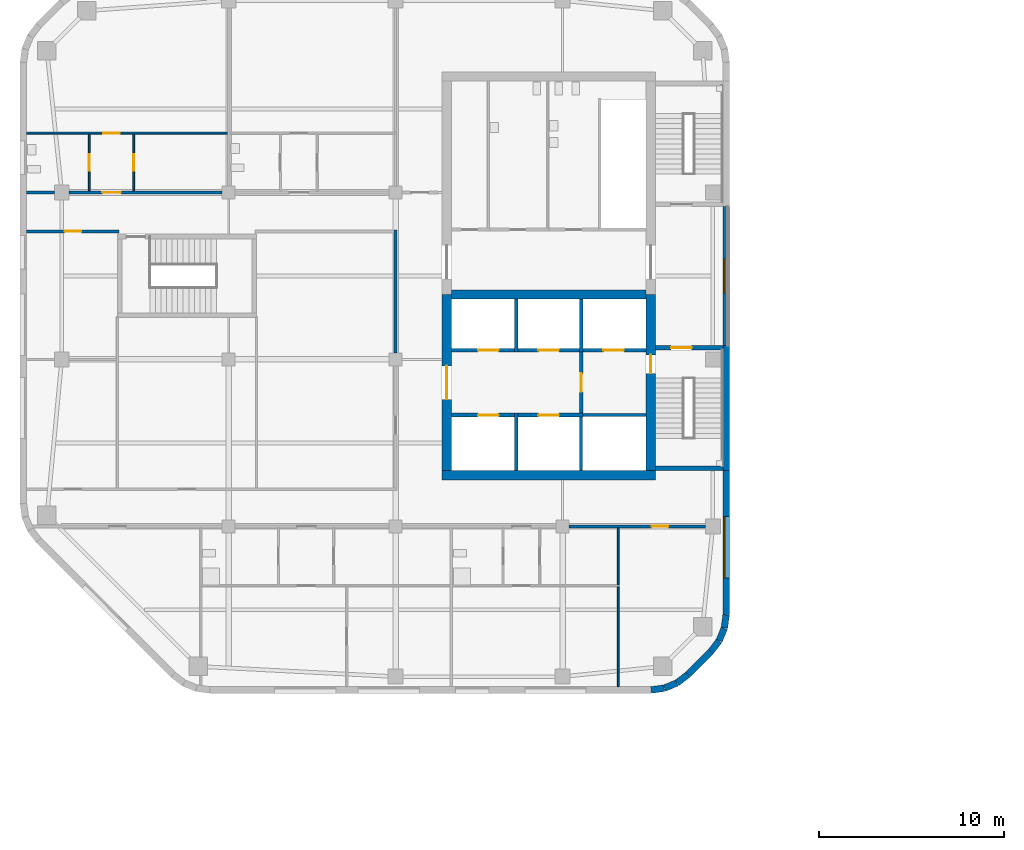
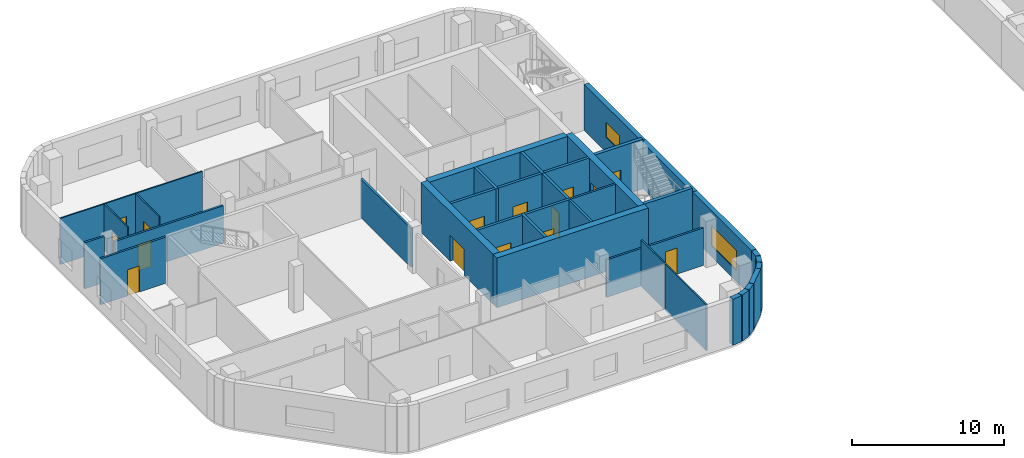
# One storey, part 6 of 15: 37 walls, 15 doors, 2 windows, 17 openings.
"""IFC4 building model written with IfcOpenShell, lengths in metres."""

from ifc_helpers import new_model, si_unit, direction, frame, frame_2d, origin, place, context, subcontext, project, spatial, rectangle, extrude, material, layer, layer_set, type_object, element, fill, save


model = new_model("IFC4")

# Units and contexts
model_context = context("Model", 3, precision=1e-05, world=origin(), true_north=direction((0.0, 1.0)))
body_context = subcontext(model_context, "Body", "Model", "MODEL_VIEW")
ifc_project = project(units=[si_unit("LENGTHUNIT", "METRE"), si_unit("AREAUNIT", "SQUARE_METRE"), si_unit("VOLUMEUNIT", "CUBIC_METRE"), si_unit("PLANEANGLEUNIT", "RADIAN"), si_unit("MASSUNIT", "GRAM", prefix="KILO")], contexts=[model_context])

# Site, building, storey
site_placement = place(None, origin())
site = spatial("IfcSite", under=ifc_project, at=site_placement, CompositionType="ELEMENT")
building_placement = place(site_placement, origin())
building = spatial("IfcBuilding", under=site, at=building_placement, Name="Cinnabar Reach Civic Tower", CompositionType="ELEMENT")
storey_placement = place(building_placement, frame((0.0, 0.0, 91.0)))
storey = spatial("IfcBuildingStorey", under=building, at=storey_placement, Name="L21", CompositionType="ELEMENT", Elevation=91.0)

# Walls
ifc_material_1 = material(Name="Facing brick with insulated backing", Category="masonry")
ifc_layer_1 = layer(ifc_material_1, 0.36)
ifc_layer_set_1 = layer_set([ifc_layer_1], Name="Brick corner wall")
wall_type_1 = type_object("IfcWallType", Name="Brick corner wall", PredefinedType="STANDARD", material=ifc_layer_set_1)
for number, where, z_axis, x_axis, name in (
    (1, (-31.2314, 9.183, 0.0), (0.0, 0.0, 1.0), (0.99144092581, 0.13055608231, 0.0), "Brick corner wall"),
    (2, (-30.5027, 9.2819, 0.0), (0.0, 0.0, 1.0), (0.923871547278, 0.382702709855, 0.0), "Brick corner wall"),
):
    element("IfcWall", number, at=place(storey_placement, frame(where, z_axis=z_axis, x_axis=x_axis)), inside=storey, type_object=wall_type_1, Name=name, PredefinedType="STANDARD", context=body_context, shape_type="SweptSolid", body=[
        extrude(rectangle(XDim=0.7131, YDim=0.36, at=frame_2d((0.3565, 0.0))), origin(), (0.0, 0.0, 1.0), 3.7),
    ])
for number, where, z_axis, x_axis, name in (
    (3, (-29.8245, 9.566, 0.0), (0.0, 0.0, 1.0), (0.793321924995, 0.608802368033, 0.0), "Brick corner wall"),
    (4, (-28.0002, 11.2587, 0.0), (0.0, 0.0, 1.0), (0.608802368033, 0.793321924995, 0.0), "Brick corner wall"),
):
    element("IfcWall", number, at=place(storey_placement, frame(where, z_axis=z_axis, x_axis=x_axis)), inside=storey, type_object=wall_type_1, Name=name, PredefinedType="STANDARD", context=body_context, shape_type="SweptSolid", body=[
        extrude(rectangle(XDim=0.7132, YDim=0.36, at=frame_2d((0.3566, 0.0))), origin(), (0.0, 0.0, 1.0), 3.7),
    ])
for number, where, z_axis, x_axis, name in (
    (5, (-27.5548, 11.8439, 0.0), (0.0, 0.0, 1.0), (0.382702709855, 0.923871547278, 0.0), "Brick corner wall"),
    (6, (-27.2761, 12.5244, 0.0), (0.0, 0.0, 1.0), (0.13055608231, 0.99144092581, 0.0), "Brick corner wall"),
):
    element("IfcWall", number, at=place(storey_placement, frame(where, z_axis=z_axis, x_axis=x_axis)), inside=storey, type_object=wall_type_1, Name=name, PredefinedType="STANDARD", context=body_context, shape_type="SweptSolid", body=[
        extrude(rectangle(XDim=0.7131, YDim=0.36, at=frame_2d((0.3565, 0.0))), origin(), (0.0, 0.0, 1.0), 3.7),
    ])
ifc_layer_2 = layer(ifc_material_1, 0.36)
ifc_layer_set_2 = layer_set([ifc_layer_2], Name="Brick pier and spandrel wall")
wall_type_2 = type_object("IfcWallType", Name="Brick pier and spandrel wall", PredefinedType="STANDARD", material=ifc_layer_set_2)
wall_1_placement = place(storey_placement, frame((-29.2486, 10.006, 0.0), z_axis=(0.0, 0.0, 1.0), x_axis=(0.707106781187, 0.707106781187, 0.0)))
element("IfcWall", 7, at=wall_1_placement, inside=storey, type_object=wall_type_2, Name="Brick facade wall", PredefinedType="STANDARD", context=body_context, shape_type="SweptSolid", body=[
    extrude(rectangle(XDim=1.7573, YDim=0.36, at=frame_2d((0.8787, 0.0))), origin(), (0.0, 0.0, 1.0), 3.7),
])

# Wall, opening, window
wall_2_placement = place(storey_placement, frame((-27.18, 13.2426, 0.0), z_axis=(0.0, 0.0, 1.0), x_axis=(0.0, 1.0, 0.0)))
wall_2 = element("IfcWall", 8, at=wall_2_placement, inside=storey, type_object=wall_type_2, Name="Brick facade wall", PredefinedType="STANDARD", context=body_context, shape_type="SweptSolid", body=[
    extrude(rectangle(XDim=7.7574, YDim=0.36, at=frame_2d((3.8787, 0.0))), origin(), (0.0, 0.0, 1.0), 3.7),
])
opening_1_placement = place(wall_2_placement, frame((1.9824, 0.0, 0.9)))
opening_1 = element("IfcOpeningElement", 9, at=opening_1_placement, cuts=wall_2, Name="Opening W2641", PredefinedType="OPENING", context=body_context, shape_type="SweptSolid", body=[
    extrude(rectangle(XDim=3.3, YDim=1.6, at=frame_2d((1.65, 0.8))), frame((0.0, 0.19, 0.0), z_axis=(0.0, -1.0, 0.0), x_axis=(1.0, 0.0, 0.0)), (0.0, 0.0, 1.0), 0.38),
])
ifc_material_2 = material(Name="Clear double glazing in aluminium frame", Category="aluminium")
window_type_1 = type_object("IfcWindowType", Name="Deep-set window A", PartitioningType="SINGLE_PANEL", PredefinedType="WINDOW", material=ifc_material_2)
window_1_placement = place(opening_1_placement, origin())
window_1 = element("IfcWindow", 10, at=window_1_placement, inside=storey, type_object=window_type_1, Name="Window east face", OverallHeight=1.6, OverallWidth=3.3, PartitioningType="SINGLE_PANEL", PredefinedType="WINDOW", context=body_context, shape_type="SweptSolid", body=[
    extrude(rectangle(XDim=3.3, YDim=1.6, at=frame_2d((1.65, 0.8))), frame((0.0, 0.13, 0.0), z_axis=(0.0, -1.0, 0.0), x_axis=(1.0, 0.0, 0.0)), (0.0, 0.0, 1.0), 0.06),
])
fill(opening_1, window_1)

# Wall
wall_3_placement = place(storey_placement, frame((-27.18, 21.0, 0.0), z_axis=(0.0, 0.0, 1.0), x_axis=(0.0, 1.0, 0.0)))
element("IfcWall", 11, at=wall_3_placement, inside=storey, type_object=wall_type_2, Name="Brick facade wall", PredefinedType="STANDARD", context=body_context, shape_type="SweptSolid", body=[
    extrude(rectangle(XDim=6.75, YDim=0.36, at=frame_2d((3.375, 0.0))), origin(), (0.0, 0.0, 1.0), 3.7),
])

# Wall, opening, window
wall_4_placement = place(storey_placement, frame((-27.18, 27.75, 0.0), z_axis=(0.0, 0.0, 1.0), x_axis=(0.0, 1.0, 0.0)))
wall_4 = element("IfcWall", 12, at=wall_4_placement, inside=storey, type_object=wall_type_2, Name="Brick facade wall", PredefinedType="STANDARD", context=body_context, shape_type="SweptSolid", body=[
    extrude(rectangle(XDim=7.5, YDim=0.36, at=frame_2d((3.75, 0.0))), origin(), (0.0, 0.0, 1.0), 3.7),
])
opening_2_placement = place(wall_4_placement, frame((2.85, 0.0, 1.2)))
opening_2 = element("IfcOpeningElement", 13, at=opening_2_placement, cuts=wall_4, Name="Opening W2642", PredefinedType="OPENING", context=body_context, shape_type="SweptSolid", body=[
    extrude(rectangle(XDim=1.8, YDim=1.2, at=frame_2d((0.9, 0.6))), frame((0.0, 0.19, 0.0), z_axis=(0.0, -1.0, 0.0), x_axis=(1.0, 0.0, 0.0)), (0.0, 0.0, 1.0), 0.38),
])
window_type_2 = type_object("IfcWindowType", Name="Deep-set window C", PartitioningType="SINGLE_PANEL", PredefinedType="WINDOW", material=ifc_material_2)
window_2_placement = place(opening_2_placement, origin())
window_2 = element("IfcWindow", 14, at=window_2_placement, inside=storey, type_object=window_type_2, Name="Window east face", OverallHeight=1.2, OverallWidth=1.8, PartitioningType="SINGLE_PANEL", PredefinedType="WINDOW", context=body_context, shape_type="SweptSolid", body=[
    extrude(rectangle(XDim=1.8, YDim=1.2, at=frame_2d((0.9, 0.6))), frame((0.0, 0.13, 0.0), z_axis=(0.0, -1.0, 0.0), x_axis=(1.0, 0.0, 0.0)), (0.0, 0.0, 1.0), 0.06),
])
fill(opening_2, window_2)

# Wall
ifc_material_3 = material(Name="Concrete C60", Category="concrete")
ifc_layer_3 = layer(ifc_material_3, 0.5)
ifc_layer_set_3 = layer_set([ifc_layer_3], Name="Core wall 500 EI 180")
wall_type_3 = type_object("IfcWallType", Name="Core wall 500 EI 180", PredefinedType="SOLIDWALL", material=ifc_layer_set_3)
wall_5_placement = place(storey_placement, frame((-42.5, 20.75, 0.0), z_axis=(0.0, 0.0, 1.0), x_axis=(1.0, 0.0, 0.0)))
element("IfcWall", 15, at=wall_5_placement, inside=storey, type_object=wall_type_3, Name="Core wall T2 L21 S", PredefinedType="SOLIDWALL", context=body_context, shape_type="SweptSolid", body=[
    extrude(rectangle(XDim=11.5, YDim=0.5, at=frame_2d((5.75, 0.0))), origin(), (0.0, 0.0, 1.0), 4.0),
])

# Wall, opening, door
wall_6_placement = place(storey_placement, frame((-31.25, 21.0, 0.0), z_axis=(0.0, 0.0, 1.0), x_axis=(0.0, 1.0, 0.0)))
wall_6 = element("IfcWall", 16, at=wall_6_placement, inside=storey, type_object=wall_type_3, Name="Core wall T2 L21 E", PredefinedType="SOLIDWALL", context=body_context, shape_type="SweptSolid", body=[
    extrude(rectangle(XDim=9.5, YDim=0.5, at=frame_2d((4.75, 0.0))), origin(), (0.0, 0.0, 1.0), 4.0),
])
opening_3_placement = place(wall_6_placement, frame((5.25, 0.0, 0.0)))
opening_3 = element("IfcOpeningElement", 17, at=opening_3_placement, cuts=wall_6, Name="Opening D6793", PredefinedType="OPENING", context=body_context, shape_type="SweptSolid", body=[
    extrude(rectangle(XDim=1.0, YDim=2.1, at=frame_2d((0.5, 1.05))), frame((0.0, 0.26, 0.0), z_axis=(0.0, -1.0, 0.0), x_axis=(1.0, 0.0, 0.0)), (0.0, 0.0, 1.0), 0.52),
])
ifc_material_4 = material(Name="Steel fire door", Category="steel")
door_type_1 = type_object("IfcDoorType", Name="T2 Firefighting lobby door 1000", OperationType="SINGLE_SWING_LEFT", PredefinedType="DOOR", material=ifc_material_4)
door_1_placement = place(opening_3_placement, frame((1.0, 0.0, 0.0), z_axis=(0.0, 0.0, 1.0), x_axis=(-1.0, 0.0, 0.0)))
door_1 = element("IfcDoor", 18, at=door_1_placement, inside=storey, type_object=door_type_1, Name="T2 Firefighting lobby door D6793", OperationType="SINGLE_SWING_LEFT", OverallHeight=2.1, OverallWidth=1.0, PredefinedType="DOOR", context=body_context, shape_type="SweptSolid", body=[
    extrude(rectangle(XDim=1.0, YDim=2.1, at=frame_2d((0.5, 1.05))), frame((0.0, 0.025, 0.0), z_axis=(0.0, -1.0, 0.0), x_axis=(1.0, 0.0, 0.0)), (0.0, 0.0, 1.0), 0.05),
])
fill(opening_3, door_1)

wall_7_placement = place(storey_placement, frame((-42.25, 30.5, 0.0), z_axis=(0.0, 0.0, 1.0), x_axis=(0.0, -1.0, 0.0)))
wall_7 = element("IfcWall", 19, at=wall_7_placement, inside=storey, type_object=wall_type_3, Name="Core wall T2 L21 W2", PredefinedType="SOLIDWALL", context=body_context, shape_type="SweptSolid", body=[
    extrude(rectangle(XDim=9.5, YDim=0.5, at=frame_2d((4.75, 0.0))), origin(), (0.0, 0.0, 1.0), 4.0),
])
opening_4_placement = place(wall_7_placement, frame((3.85, 0.0, 0.0)))
opening_4 = element("IfcOpeningElement", 20, at=opening_4_placement, cuts=wall_7, Name="Opening D6797", PredefinedType="OPENING", context=body_context, shape_type="SweptSolid", body=[
    extrude(rectangle(XDim=1.8, YDim=2.1, at=frame_2d((0.9, 1.05))), frame((0.0, 0.26, 0.0), z_axis=(0.0, -1.0, 0.0), x_axis=(1.0, 0.0, 0.0)), (0.0, 0.0, 1.0), 0.52),
])
door_type_2 = type_object("IfcDoorType", Name="T2 Double door 1800", OperationType="DOUBLE_DOOR_SINGLE_SWING", PredefinedType="DOOR", material=ifc_material_4)
door_2_placement = place(opening_4_placement, origin())
door_2 = element("IfcDoor", 21, at=door_2_placement, inside=storey, type_object=door_type_2, Name="T2 Double door D6797", OperationType="DOUBLE_DOOR_SINGLE_SWING", OverallHeight=2.1, OverallWidth=1.8, PredefinedType="DOOR", context=body_context, shape_type="SweptSolid", body=[
    extrude(rectangle(XDim=1.8, YDim=2.1, at=frame_2d((0.9, 1.05))), frame((0.0, 0.025, 0.0), z_axis=(0.0, -1.0, 0.0), x_axis=(1.0, 0.0, 0.0)), (0.0, 0.0, 1.0), 0.05),
])
fill(opening_4, door_2)

# Wall
wall_8_placement = place(storey_placement, frame((-42.0, 30.5, 0.0), z_axis=(0.0, 0.0, 1.0), x_axis=(1.0, 0.0, 0.0)))
element("IfcWall", 22, at=wall_8_placement, inside=storey, type_object=wall_type_3, Name="Core spine wall T2 L21", PredefinedType="SOLIDWALL", context=body_context, shape_type="SweptSolid", body=[
    extrude(rectangle(XDim=10.5, YDim=0.5, at=frame_2d((5.25, 0.0))), origin(), (0.0, 0.0, 1.0), 4.0),
])

# Wall, opening, door
ifc_material_5 = material(Name="Gypsum board on steel studs, double layer", Category="steel")
ifc_layer_4 = layer(ifc_material_5, 0.15)
ifc_layer_set_4 = layer_set([ifc_layer_4], Name="Corridor wall 150 T2")
wall_type_4 = type_object("IfcWallType", Name="Corridor wall 150 T2", PredefinedType="PARTITIONING", material=ifc_layer_set_4)
wall_9_placement = place(storey_placement, frame((-35.65, 18.0, 0.0), z_axis=(0.0, 0.0, 1.0), x_axis=(1.0, 0.0, 0.0)))
wall_9 = element("IfcWall", 23, at=wall_9_placement, inside=storey, type_object=wall_type_4, Name="Corridor wall 1", PredefinedType="PARTITIONING", context=body_context, shape_type="SweptSolid", body=[
    extrude(rectangle(XDim=7.35, YDim=0.15, at=frame_2d((3.675, 0.0))), origin(), (0.0, 0.0, 1.0), 3.008),
])
opening_5_placement = place(wall_9_placement, frame((4.45, 0.0, 0.0)))
opening_5 = element("IfcOpeningElement", 24, at=opening_5_placement, cuts=wall_9, Name="Opening D6813", PredefinedType="OPENING", context=body_context, shape_type="SweptSolid", body=[
    extrude(rectangle(XDim=0.9, YDim=2.1, at=frame_2d((0.45, 1.05))), frame((0.0, 0.085, 0.0), z_axis=(0.0, -1.0, 0.0), x_axis=(1.0, 0.0, 0.0)), (0.0, 0.0, 1.0), 0.17),
])
ifc_material_6 = material(Name="Timber door leaf in steel frame", Category="steel")
door_type_3 = type_object("IfcDoorType", Name="Single swing door 900 x 2100 T2", OperationType="SINGLE_SWING_LEFT", PredefinedType="DOOR", material=ifc_material_6)
door_3_placement = place(opening_5_placement, frame((0.9, 0.0, 0.0), z_axis=(0.0, 0.0, 1.0), x_axis=(-1.0, 0.0, 0.0)))
door_3 = element("IfcDoor", 25, at=door_3_placement, inside=storey, type_object=door_type_3, Name="Door D6813", OperationType="SINGLE_SWING_LEFT", OverallHeight=2.1, OverallWidth=0.9, PredefinedType="DOOR", context=body_context, shape_type="SweptSolid", body=[
    extrude(rectangle(XDim=0.9, YDim=2.1, at=frame_2d((0.45, 1.05))), frame((0.0, 0.025, 0.0), z_axis=(0.0, -1.0, 0.0), x_axis=(1.0, 0.0, 0.0)), (0.0, 0.0, 1.0), 0.05),
])
fill(opening_5, door_3)

wall_10_placement = place(storey_placement, frame((-62.6, 36.0, 0.0), z_axis=(0.0, 0.0, 1.0), x_axis=(1.0, 0.0, 0.0)))
wall_10 = element("IfcWall", 26, at=wall_10_placement, inside=storey, type_object=wall_type_4, Name="Corridor wall 7", PredefinedType="PARTITIONING", context=body_context, shape_type="SweptSolid", body=[
    extrude(rectangle(XDim=8.25, YDim=0.15, at=frame_2d((4.125, 0.0))), origin(), (0.0, 0.0, 1.0), 3.008),
])
opening_6_placement = place(wall_10_placement, frame((1.7859, 0.0, 0.0)))
opening_6 = element("IfcOpeningElement", 27, at=opening_6_placement, cuts=wall_10, Name="Opening D6817", PredefinedType="OPENING", context=body_context, shape_type="SweptSolid", body=[
    extrude(rectangle(XDim=1.0, YDim=2.1, at=frame_2d((0.5, 1.05))), frame((0.0, 0.085, 0.0), z_axis=(0.0, -1.0, 0.0), x_axis=(1.0, 0.0, 0.0)), (0.0, 0.0, 1.0), 0.17),
])
door_type_4 = type_object("IfcDoorType", Name="Tenancy entrance door 1000 x 2100 T2", OperationType="SINGLE_SWING_LEFT", PredefinedType="DOOR", material=ifc_material_6)
door_4_placement = place(opening_6_placement, origin())
door_4 = element("IfcDoor", 28, at=door_4_placement, inside=storey, type_object=door_type_4, Name="Door D6817", OperationType="SINGLE_SWING_LEFT", OverallHeight=2.1, OverallWidth=1.0, PredefinedType="DOOR", context=body_context, shape_type="SweptSolid", body=[
    extrude(rectangle(XDim=1.0, YDim=2.1, at=frame_2d((0.5, 1.05))), frame((0.0, 0.025, 0.0), z_axis=(0.0, -1.0, 0.0), x_axis=(1.0, 0.0, 0.0)), (0.0, 0.0, 1.0), 0.05),
])
fill(opening_6, door_4)

# Walls
wall_11_placement = place(storey_placement, frame((-64.89, 36.0, 0.0), z_axis=(0.0, 0.0, 1.0), x_axis=(1.0, 0.0, 0.0)))
element("IfcWall", 29, at=wall_11_placement, inside=storey, type_object=wall_type_4, Name="Corridor wall 8", PredefinedType="PARTITIONING", context=body_context, shape_type="SweptSolid", body=[
    extrude(rectangle(XDim=1.49, YDim=0.15, at=frame_2d((0.745, 0.0))), origin(), (0.0, 0.0, 1.0), 3.7),
])
wall_12_placement = place(storey_placement, frame((-45.0, 27.35, 0.0), z_axis=(0.0, 0.0, 1.0), x_axis=(0.0, 1.0, 0.0)))
element("IfcWall", 30, at=wall_12_placement, inside=storey, type_object=wall_type_4, Name="Corridor wall 11", PredefinedType="PARTITIONING", context=body_context, shape_type="SweptSolid", body=[
    extrude(rectangle(XDim=6.625, YDim=0.15, at=frame_2d((3.3125, 0.0))), origin(), (0.0, 0.0, 1.0), 3.106),
])

# Wall, opening, door
wall_13_placement = place(storey_placement, frame((-64.89, 33.9, 0.0), z_axis=(0.0, 0.0, 1.0), x_axis=(1.0, 0.0, 0.0)))
wall_13 = element("IfcWall", 31, at=wall_13_placement, inside=storey, type_object=wall_type_4, Name="Corridor wall 13", PredefinedType="PARTITIONING", context=body_context, shape_type="SweptSolid", body=[
    extrude(rectangle(XDim=4.965, YDim=0.15, at=frame_2d((2.4825, 0.0))), origin(), (0.0, 0.0, 1.0), 3.7),
])
opening_7_placement = place(wall_13_placement, frame((2.05, 0.0, 0.0)))
opening_7 = element("IfcOpeningElement", 32, at=opening_7_placement, cuts=wall_13, Name="Opening D6823", PredefinedType="OPENING", context=body_context, shape_type="SweptSolid", body=[
    extrude(rectangle(XDim=0.9, YDim=2.1, at=frame_2d((0.45, 1.05))), frame((0.0, 0.085, 0.0), z_axis=(0.0, -1.0, 0.0), x_axis=(1.0, 0.0, 0.0)), (0.0, 0.0, 1.0), 0.17),
])
door_5_placement = place(opening_7_placement, frame((0.9, 0.0, 0.0), z_axis=(0.0, 0.0, 1.0), x_axis=(-1.0, 0.0, 0.0)))
door_5 = element("IfcDoor", 33, at=door_5_placement, inside=storey, type_object=door_type_3, Name="Door D6823", OperationType="SINGLE_SWING_RIGHT", OverallHeight=2.1, OverallWidth=0.9, PredefinedType="DOOR", context=body_context, shape_type="SweptSolid", body=[
    extrude(rectangle(XDim=0.9, YDim=2.1, at=frame_2d((0.45, 1.05))), frame((0.0, 0.025, 0.0), z_axis=(0.0, -1.0, 0.0), x_axis=(1.0, 0.0, 0.0)), (0.0, 0.0, 1.0), 0.05),
])
fill(opening_7, door_5)

ifc_material_7 = material(Name="Gypsum board on steel studs", Category="steel")
ifc_layer_5 = layer(ifc_material_7, 0.1)
ifc_layer_set_5 = layer_set([ifc_layer_5], Name="Partition wall 100 T2")
wall_type_5 = type_object("IfcWallType", Name="Partition wall 100 T2", PredefinedType="PARTITIONING", material=ifc_layer_set_5)
wall_14_placement = place(storey_placement, frame((-64.89, 39.2, 0.0), z_axis=(0.0, 0.0, 1.0), x_axis=(1.0, 0.0, 0.0)))
wall_14 = element("IfcWall", 34, at=wall_14_placement, inside=storey, type_object=wall_type_5, Name="Partition wall 19", PredefinedType="PARTITIONING", context=body_context, shape_type="SweptSolid", body=[
    extrude(rectangle(XDim=10.815, YDim=0.1, at=frame_2d((5.4075, 0.0))), origin(), (0.0, 0.0, 1.0), 3.7),
])
opening_8_placement = place(wall_14_placement, frame((4.1259, 0.0, 0.0)))
opening_8 = element("IfcOpeningElement", 35, at=opening_8_placement, cuts=wall_14, Name="Opening D6816", PredefinedType="OPENING", context=body_context, shape_type="SweptSolid", body=[
    extrude(rectangle(XDim=0.9, YDim=2.1, at=frame_2d((0.45, 1.05))), frame((0.0, 0.06, 0.0), z_axis=(0.0, -1.0, 0.0), x_axis=(1.0, 0.0, 0.0)), (0.0, 0.0, 1.0), 0.12),
])
door_6_placement = place(opening_8_placement, frame((0.9, 0.0, 0.0), z_axis=(0.0, 0.0, 1.0), x_axis=(-1.0, 0.0, 0.0)))
door_6 = element("IfcDoor", 36, at=door_6_placement, inside=storey, type_object=door_type_3, Name="Door D6816", OperationType="SINGLE_SWING_RIGHT", OverallHeight=2.1, OverallWidth=0.9, PredefinedType="DOOR", context=body_context, shape_type="SweptSolid", body=[
    extrude(rectangle(XDim=0.9, YDim=2.1, at=frame_2d((0.45, 1.05))), frame((0.0, 0.025, 0.0), z_axis=(0.0, -1.0, 0.0), x_axis=(1.0, 0.0, 0.0)), (0.0, 0.0, 1.0), 0.05),
])
fill(opening_8, door_6)

# Walls
wall_15_placement = place(storey_placement, frame((-33.0, 14.85, 0.0), z_axis=(0.0, 0.0, 1.0), x_axis=(0.0, 1.0, 0.0)))
element("IfcWall", 37, at=wall_15_placement, inside=storey, type_object=wall_type_5, Name="Partition wall 24", PredefinedType="PARTITIONING", context=body_context, shape_type="SweptSolid", body=[
    extrude(rectangle(XDim=3.075, YDim=0.1, at=frame_2d((1.5375, 0.0))), origin(), (0.0, 0.0, 1.0), 3.7),
])
wall_16_placement = place(storey_placement, frame((-33.0, 9.36, 0.0), z_axis=(0.0, 0.0, 1.0), x_axis=(0.0, 1.0, 0.0)))
element("IfcWall", 38, at=wall_16_placement, inside=storey, type_object=wall_type_5, Name="Partition wall 25", PredefinedType="PARTITIONING", context=body_context, shape_type="SweptSolid", body=[
    extrude(rectangle(XDim=5.39, YDim=0.1, at=frame_2d((2.695, 0.0))), origin(), (0.0, 0.0, 1.0), 3.7),
])

# Wall, opening, door
wall_17_placement = place(storey_placement, frame((-61.5141, 36.075, 0.0), z_axis=(0.0, 0.0, 1.0), x_axis=(0.0, 1.0, 0.0)))
wall_17 = element("IfcWall", 39, at=wall_17_placement, inside=storey, type_object=wall_type_5, Name="Partition wall 32", PredefinedType="PARTITIONING", context=body_context, shape_type="SweptSolid", body=[
    extrude(rectangle(XDim=3.075, YDim=0.1, at=frame_2d((1.5375, 0.0))), origin(), (0.0, 0.0, 1.0), 3.7),
])
opening_9_placement = place(wall_17_placement, frame((1.1, 0.0, 0.0)))
opening_9 = element("IfcOpeningElement", 40, at=opening_9_placement, cuts=wall_17, Name="Opening D6814", PredefinedType="OPENING", context=body_context, shape_type="SweptSolid", body=[
    extrude(rectangle(XDim=0.9, YDim=2.1, at=frame_2d((0.45, 1.05))), frame((0.0, 0.06, 0.0), z_axis=(0.0, -1.0, 0.0), x_axis=(1.0, 0.0, 0.0)), (0.0, 0.0, 1.0), 0.12),
])
door_7_placement = place(opening_9_placement, origin())
door_7 = element("IfcDoor", 41, at=door_7_placement, inside=storey, type_object=door_type_3, Name="Door D6814", OperationType="SINGLE_SWING_LEFT", OverallHeight=2.1, OverallWidth=0.9, PredefinedType="DOOR", context=body_context, shape_type="SweptSolid", body=[
    extrude(rectangle(XDim=0.9, YDim=2.1, at=frame_2d((0.45, 1.05))), frame((0.0, 0.025, 0.0), z_axis=(0.0, -1.0, 0.0), x_axis=(1.0, 0.0, 0.0)), (0.0, 0.0, 1.0), 0.05),
])
fill(opening_9, door_7)

wall_18_placement = place(storey_placement, frame((-59.1183, 36.075, 0.0), z_axis=(0.0, 0.0, 1.0), x_axis=(0.0, 1.0, 0.0)))
wall_18 = element("IfcWall", 42, at=wall_18_placement, inside=storey, type_object=wall_type_5, Name="Partition wall 33", PredefinedType="PARTITIONING", context=body_context, shape_type="SweptSolid", body=[
    extrude(rectangle(XDim=3.075, YDim=0.1, at=frame_2d((1.5375, 0.0))), origin(), (0.0, 0.0, 1.0), 3.7),
])
opening_10_placement = place(wall_18_placement, frame((1.1, 0.0, 0.0)))
opening_10 = element("IfcOpeningElement", 43, at=opening_10_placement, cuts=wall_18, Name="Opening D6815", PredefinedType="OPENING", context=body_context, shape_type="SweptSolid", body=[
    extrude(rectangle(XDim=0.9, YDim=2.1, at=frame_2d((0.45, 1.05))), frame((0.0, 0.06, 0.0), z_axis=(0.0, -1.0, 0.0), x_axis=(1.0, 0.0, 0.0)), (0.0, 0.0, 1.0), 0.12),
])
door_8_placement = place(opening_10_placement, origin())
door_8 = element("IfcDoor", 44, at=door_8_placement, inside=storey, type_object=door_type_3, Name="Door D6815", OperationType="SINGLE_SWING_RIGHT", OverallHeight=2.1, OverallWidth=0.9, PredefinedType="DOOR", context=body_context, shape_type="SweptSolid", body=[
    extrude(rectangle(XDim=0.9, YDim=2.1, at=frame_2d((0.45, 1.05))), frame((0.0, 0.025, 0.0), z_axis=(0.0, -1.0, 0.0), x_axis=(1.0, 0.0, 0.0)), (0.0, 0.0, 1.0), 0.05),
])
fill(opening_10, door_8)

# Wall
ifc_layer_6 = layer(ifc_material_3, 0.25)
ifc_layer_set_6 = layer_set([ifc_layer_6], Name="Stair shaft wall 250 EI 120")
wall_type_6 = type_object("IfcWallType", Name="Stair shaft wall 250 EI 120", PredefinedType="SOLIDWALL", material=ifc_layer_set_6)
wall_19_placement = place(storey_placement, frame((-31.0, 21.125, 0.0), z_axis=(0.0, 0.0, 1.0), x_axis=(1.0, 0.0, 0.0)))
element("IfcWall", 45, at=wall_19_placement, inside=storey, type_object=wall_type_6, Name="Stair shaft wall T2-S1 L21", PredefinedType="SOLIDWALL", context=body_context, shape_type="SweptSolid", body=[
    extrude(rectangle(XDim=3.64, YDim=0.25, at=frame_2d((1.82, 0.0))), origin(), (0.0, 0.0, 1.0), 4.0),
])

# Wall, opening, door
wall_20_placement = place(storey_placement, frame((-27.36, 27.625, 0.0), z_axis=(0.0, 0.0, 1.0), x_axis=(-1.0, 0.0, 0.0)))
wall_20 = element("IfcWall", 46, at=wall_20_placement, inside=storey, type_object=wall_type_6, Name="Stair shaft wall T2-S1 L21", PredefinedType="SOLIDWALL", context=body_context, shape_type="SweptSolid", body=[
    extrude(rectangle(XDim=3.64, YDim=0.25, at=frame_2d((1.82, 0.0))), origin(), (0.0, 0.0, 1.0), 4.0),
])
opening_11_placement = place(wall_20_placement, frame((1.69, 0.0, 0.0)))
opening_11 = element("IfcOpeningElement", 47, at=opening_11_placement, cuts=wall_20, Name="Opening D6794", PredefinedType="OPENING", context=body_context, shape_type="SweptSolid", body=[
    extrude(rectangle(XDim=1.1, YDim=2.1, at=frame_2d((0.55, 1.05))), frame((0.0, 0.135, 0.0), z_axis=(0.0, -1.0, 0.0), x_axis=(1.0, 0.0, 0.0)), (0.0, 0.0, 1.0), 0.27),
])
door_type_5 = type_object("IfcDoorType", Name="T2 Stair door 1100", OperationType="SINGLE_SWING_LEFT", PredefinedType="DOOR", material=ifc_material_4)
door_9_placement = place(opening_11_placement, origin())
door_9 = element("IfcDoor", 48, at=door_9_placement, inside=storey, type_object=door_type_5, Name="T2 Stair door D6794", OperationType="SINGLE_SWING_RIGHT", OverallHeight=2.1, OverallWidth=1.1, PredefinedType="DOOR", context=body_context, shape_type="SweptSolid", body=[
    extrude(rectangle(XDim=1.1, YDim=2.1, at=frame_2d((0.55, 1.05))), frame((0.0, 0.025, 0.0), z_axis=(0.0, -1.0, 0.0), x_axis=(1.0, 0.0, 0.0)), (0.0, 0.0, 1.0), 0.05),
])
fill(opening_11, door_9)

# Walls
ifc_material_8 = material(Name="Concrete C40", Category="concrete")
ifc_layer_7 = layer(ifc_material_8, 0.15)
ifc_layer_set_7 = layer_set([ifc_layer_7], Name="T2 Riser wall 150")
wall_type_7 = type_object("IfcWallType", Name="T2 Riser wall 150", PredefinedType="SOLIDWALL", material=ifc_layer_set_7)
wall_21_placement = place(storey_placement, frame((-35.0, 21.0, 0.0), z_axis=(0.0, 0.0, 1.0), x_axis=(0.0, 1.0, 0.0)))
element("IfcWall", 49, at=wall_21_placement, inside=storey, type_object=wall_type_7, Name="T2 Riser wall L21 010", PredefinedType="SOLIDWALL", context=body_context, shape_type="SweptSolid", body=[
    extrude(rectangle(XDim=2.9, YDim=0.15, at=frame_2d((1.45, 0.0))), origin(), (0.0, 0.0, 1.0), 4.0),
])
wall_22_placement = place(storey_placement, frame((-31.5, 24.0, 0.0), z_axis=(0.0, 0.0, 1.0), x_axis=(-1.0, 0.0, 0.0)))
element("IfcWall", 50, at=wall_22_placement, inside=storey, type_object=wall_type_7, Name="T2 Riser wall L21 011", PredefinedType="SOLIDWALL", context=body_context, shape_type="SweptSolid", body=[
    extrude(rectangle(XDim=3.4, YDim=0.15, at=frame_2d((1.7, 0.0))), origin(), (0.0, 0.0, 1.0), 4.0),
])
ifc_layer_8 = layer(ifc_material_8, 0.2)
ifc_layer_set_8 = layer_set([ifc_layer_8], Name="T2 Shaft wall 200")
wall_type_8 = type_object("IfcWallType", Name="T2 Shaft wall 200", PredefinedType="SOLIDWALL", material=ifc_layer_set_8)
wall_23_placement = place(storey_placement, frame((-38.5, 21.0, 0.0), z_axis=(0.0, 0.0, 1.0), x_axis=(0.0, 1.0, 0.0)))
element("IfcWall", 51, at=wall_23_placement, inside=storey, type_object=wall_type_8, Name="T2 Shaft wall L21 001", PredefinedType="SOLIDWALL", context=body_context, shape_type="SweptSolid", body=[
    extrude(rectangle(XDim=3.1, YDim=0.2, at=frame_2d((1.55, 0.0))), origin(), (0.0, 0.0, 1.0), 4.0),
])

# Wall, opening, door
wall_24_placement = place(storey_placement, frame((-38.6, 24.0, 0.0), z_axis=(0.0, 0.0, 1.0), x_axis=(-1.0, 0.0, 0.0)))
wall_24 = element("IfcWall", 52, at=wall_24_placement, inside=storey, type_object=wall_type_8, Name="T2 Shaft wall L21 002", PredefinedType="SOLIDWALL", context=body_context, shape_type="SweptSolid", body=[
    extrude(rectangle(XDim=3.4, YDim=0.2, at=frame_2d((1.7, 0.0))), origin(), (0.0, 0.0, 1.0), 4.0),
])
opening_12_placement = place(wall_24_placement, frame((0.85, 0.0, 0.0)))
opening_12 = element("IfcOpeningElement", 53, at=opening_12_placement, cuts=wall_24, Name="Opening D6787", PredefinedType="OPENING", context=body_context, shape_type="SweptSolid", body=[
    extrude(rectangle(XDim=1.1, YDim=2.1, at=frame_2d((0.55, 1.05))), frame((0.0, 0.11, 0.0), z_axis=(0.0, -1.0, 0.0), x_axis=(1.0, 0.0, 0.0)), (0.0, 0.0, 1.0), 0.22),
])
door_type_6 = type_object("IfcDoorType", Name="T2 Lift landing door 1100", OperationType="SLIDING_TO_LEFT", PredefinedType="DOOR", material=ifc_material_4)
door_10_placement = place(opening_12_placement, origin())
door_10 = element("IfcDoor", 54, at=door_10_placement, inside=storey, type_object=door_type_6, Name="T2 Lift landing door D6787", OperationType="SLIDING_TO_LEFT", OverallHeight=2.1, OverallWidth=1.1, PredefinedType="DOOR", context=body_context, shape_type="SweptSolid", body=[
    extrude(rectangle(XDim=1.1, YDim=2.1, at=frame_2d((0.55, 1.05))), frame((0.0, 0.025, 0.0), z_axis=(0.0, -1.0, 0.0), x_axis=(1.0, 0.0, 0.0)), (0.0, 0.0, 1.0), 0.05),
])
fill(opening_12, door_10)

wall_25_placement = place(storey_placement, frame((-34.9, 24.0, 0.0), z_axis=(0.0, 0.0, 1.0), x_axis=(-1.0, 0.0, 0.0)))
wall_25 = element("IfcWall", 55, at=wall_25_placement, inside=storey, type_object=wall_type_8, Name="T2 Shaft wall L21 003", PredefinedType="SOLIDWALL", context=body_context, shape_type="SweptSolid", body=[
    extrude(rectangle(XDim=3.5, YDim=0.2, at=frame_2d((1.75, 0.0))), origin(), (0.0, 0.0, 1.0), 4.0),
])
opening_13_placement = place(wall_25_placement, frame((1.3, 0.0, 0.0)))
opening_13 = element("IfcOpeningElement", 56, at=opening_13_placement, cuts=wall_25, Name="Opening D6788", PredefinedType="OPENING", context=body_context, shape_type="SweptSolid", body=[
    extrude(rectangle(XDim=1.1, YDim=2.1, at=frame_2d((0.55, 1.05))), frame((0.0, 0.11, 0.0), z_axis=(0.0, -1.0, 0.0), x_axis=(1.0, 0.0, 0.0)), (0.0, 0.0, 1.0), 0.22),
])
door_11_placement = place(opening_13_placement, origin())
door_11 = element("IfcDoor", 57, at=door_11_placement, inside=storey, type_object=door_type_6, Name="T2 Lift landing door D6788", OperationType="SLIDING_TO_LEFT", OverallHeight=2.1, OverallWidth=1.1, PredefinedType="DOOR", context=body_context, shape_type="SweptSolid", body=[
    extrude(rectangle(XDim=1.1, YDim=2.1, at=frame_2d((0.55, 1.05))), frame((0.0, 0.025, 0.0), z_axis=(0.0, -1.0, 0.0), x_axis=(1.0, 0.0, 0.0)), (0.0, 0.0, 1.0), 0.05),
])
fill(opening_13, door_11)

# Wall
wall_26_placement = place(storey_placement, frame((-38.5, 27.4, 0.0), z_axis=(0.0, 0.0, 1.0), x_axis=(0.0, 1.0, 0.0)))
element("IfcWall", 58, at=wall_26_placement, inside=storey, type_object=wall_type_8, Name="T2 Shaft wall L21 004", PredefinedType="SOLIDWALL", context=body_context, shape_type="SweptSolid", body=[
    extrude(rectangle(XDim=2.85, YDim=0.2, at=frame_2d((1.425, 0.0))), origin(), (0.0, 0.0, 1.0), 4.0),
])

# Wall, opening, door
wall_27_placement = place(storey_placement, frame((-42.0, 27.5, 0.0), z_axis=(0.0, 0.0, 1.0), x_axis=(1.0, 0.0, 0.0)))
wall_27 = element("IfcWall", 59, at=wall_27_placement, inside=storey, type_object=wall_type_8, Name="T2 Shaft wall L21 005", PredefinedType="SOLIDWALL", context=body_context, shape_type="SweptSolid", body=[
    extrude(rectangle(XDim=3.4, YDim=0.2, at=frame_2d((1.7, 0.0))), origin(), (0.0, 0.0, 1.0), 4.0),
])
opening_14_placement = place(wall_27_placement, frame((1.45, 0.0, 0.0)))
opening_14 = element("IfcOpeningElement", 60, at=opening_14_placement, cuts=wall_27, Name="Opening D6789", PredefinedType="OPENING", context=body_context, shape_type="SweptSolid", body=[
    extrude(rectangle(XDim=1.1, YDim=2.1, at=frame_2d((0.55, 1.05))), frame((0.0, 0.11, 0.0), z_axis=(0.0, -1.0, 0.0), x_axis=(1.0, 0.0, 0.0)), (0.0, 0.0, 1.0), 0.22),
])
door_12_placement = place(opening_14_placement, origin())
door_12 = element("IfcDoor", 61, at=door_12_placement, inside=storey, type_object=door_type_6, Name="T2 Lift landing door D6789", OperationType="SLIDING_TO_LEFT", OverallHeight=2.1, OverallWidth=1.1, PredefinedType="DOOR", context=body_context, shape_type="SweptSolid", body=[
    extrude(rectangle(XDim=1.1, YDim=2.1, at=frame_2d((0.55, 1.05))), frame((0.0, 0.025, 0.0), z_axis=(0.0, -1.0, 0.0), x_axis=(1.0, 0.0, 0.0)), (0.0, 0.0, 1.0), 0.05),
])
fill(opening_14, door_12)

# Wall
wall_28_placement = place(storey_placement, frame((-35.0, 27.4, 0.0), z_axis=(0.0, 0.0, 1.0), x_axis=(0.0, 1.0, 0.0)))
element("IfcWall", 62, at=wall_28_placement, inside=storey, type_object=wall_type_8, Name="T2 Shaft wall L21 006", PredefinedType="SOLIDWALL", context=body_context, shape_type="SweptSolid", body=[
    extrude(rectangle(XDim=2.85, YDim=0.2, at=frame_2d((1.425, 0.0))), origin(), (0.0, 0.0, 1.0), 4.0),
])

# Wall, opening, door
wall_29_placement = place(storey_placement, frame((-38.4, 27.5, 0.0), z_axis=(0.0, 0.0, 1.0), x_axis=(1.0, 0.0, 0.0)))
wall_29 = element("IfcWall", 63, at=wall_29_placement, inside=storey, type_object=wall_type_8, Name="T2 Shaft wall L21 007", PredefinedType="SOLIDWALL", context=body_context, shape_type="SweptSolid", body=[
    extrude(rectangle(XDim=3.3, YDim=0.2, at=frame_2d((1.65, 0.0))), origin(), (0.0, 0.0, 1.0), 4.0),
])
opening_15_placement = place(wall_29_placement, frame((1.1, 0.0, 0.0)))
opening_15 = element("IfcOpeningElement", 64, at=opening_15_placement, cuts=wall_29, Name="Opening D6790", PredefinedType="OPENING", context=body_context, shape_type="SweptSolid", body=[
    extrude(rectangle(XDim=1.1, YDim=2.1, at=frame_2d((0.55, 1.05))), frame((0.0, 0.11, 0.0), z_axis=(0.0, -1.0, 0.0), x_axis=(1.0, 0.0, 0.0)), (0.0, 0.0, 1.0), 0.22),
])
door_13_placement = place(opening_15_placement, origin())
door_13 = element("IfcDoor", 65, at=door_13_placement, inside=storey, type_object=door_type_6, Name="T2 Lift landing door D6790", OperationType="SLIDING_TO_LEFT", OverallHeight=2.1, OverallWidth=1.1, PredefinedType="DOOR", context=body_context, shape_type="SweptSolid", body=[
    extrude(rectangle(XDim=1.1, YDim=2.1, at=frame_2d((0.55, 1.05))), frame((0.0, 0.025, 0.0), z_axis=(0.0, -1.0, 0.0), x_axis=(1.0, 0.0, 0.0)), (0.0, 0.0, 1.0), 0.05),
])
fill(opening_15, door_13)

wall_30_placement = place(storey_placement, frame((-34.9, 27.5, 0.0), z_axis=(0.0, 0.0, 1.0), x_axis=(1.0, 0.0, 0.0)))
wall_30 = element("IfcWall", 66, at=wall_30_placement, inside=storey, type_object=wall_type_8, Name="T2 Shaft wall L21 008", PredefinedType="SOLIDWALL", context=body_context, shape_type="SweptSolid", body=[
    extrude(rectangle(XDim=3.4, YDim=0.2, at=frame_2d((1.7, 0.0))), origin(), (0.0, 0.0, 1.0), 4.0),
])
opening_16_placement = place(wall_30_placement, frame((1.1, 0.0, 0.0)))
opening_16 = element("IfcOpeningElement", 67, at=opening_16_placement, cuts=wall_30, Name="Opening D6791", PredefinedType="OPENING", context=body_context, shape_type="SweptSolid", body=[
    extrude(rectangle(XDim=1.1, YDim=2.1, at=frame_2d((0.55, 1.05))), frame((0.0, 0.11, 0.0), z_axis=(0.0, -1.0, 0.0), x_axis=(1.0, 0.0, 0.0)), (0.0, 0.0, 1.0), 0.22),
])
door_type_7 = type_object("IfcDoorType", Name="T2 Firefighting lift landing door 1100", OperationType="SLIDING_TO_LEFT", PredefinedType="DOOR", material=ifc_material_4)
door_14_placement = place(opening_16_placement, origin())
door_14 = element("IfcDoor", 68, at=door_14_placement, inside=storey, type_object=door_type_7, Name="T2 Firefighting lift landing door D6791", OperationType="SLIDING_TO_LEFT", OverallHeight=2.1, OverallWidth=1.1, PredefinedType="DOOR", context=body_context, shape_type="SweptSolid", body=[
    extrude(rectangle(XDim=1.1, YDim=2.1, at=frame_2d((0.55, 1.05))), frame((0.0, 0.025, 0.0), z_axis=(0.0, -1.0, 0.0), x_axis=(1.0, 0.0, 0.0)), (0.0, 0.0, 1.0), 0.05),
])
fill(opening_16, door_14)

wall_31_placement = place(storey_placement, frame((-35.0, 24.1, 0.0), z_axis=(0.0, 0.0, 1.0), x_axis=(0.0, 1.0, 0.0)))
wall_31 = element("IfcWall", 69, at=wall_31_placement, inside=storey, type_object=wall_type_8, Name="T2 Shaft wall L21 009", PredefinedType="SOLIDWALL", context=body_context, shape_type="SweptSolid", body=[
    extrude(rectangle(XDim=3.3, YDim=0.2, at=frame_2d((1.65, 0.0))), origin(), (0.0, 0.0, 1.0), 4.0),
])
opening_17_placement = place(wall_31_placement, frame((1.15, 0.0, 0.0)))
opening_17 = element("IfcOpeningElement", 70, at=opening_17_placement, cuts=wall_31, Name="Opening D6792", PredefinedType="OPENING", context=body_context, shape_type="SweptSolid", body=[
    extrude(rectangle(XDim=1.0, YDim=2.1, at=frame_2d((0.5, 1.05))), frame((0.0, 0.11, 0.0), z_axis=(0.0, -1.0, 0.0), x_axis=(1.0, 0.0, 0.0)), (0.0, 0.0, 1.0), 0.22),
])
door_15_placement = place(opening_17_placement, origin())
door_15 = element("IfcDoor", 71, at=door_15_placement, inside=storey, type_object=door_type_1, Name="T2 Firefighting lobby door D6792", OperationType="SINGLE_SWING_RIGHT", OverallHeight=2.1, OverallWidth=1.0, PredefinedType="DOOR", context=body_context, shape_type="SweptSolid", body=[
    extrude(rectangle(XDim=1.0, YDim=2.1, at=frame_2d((0.5, 1.05))), frame((0.0, 0.025, 0.0), z_axis=(0.0, -1.0, 0.0), x_axis=(1.0, 0.0, 0.0)), (0.0, 0.0, 1.0), 0.05),
])
fill(opening_17, door_15)

save(model, "model.ifc")
